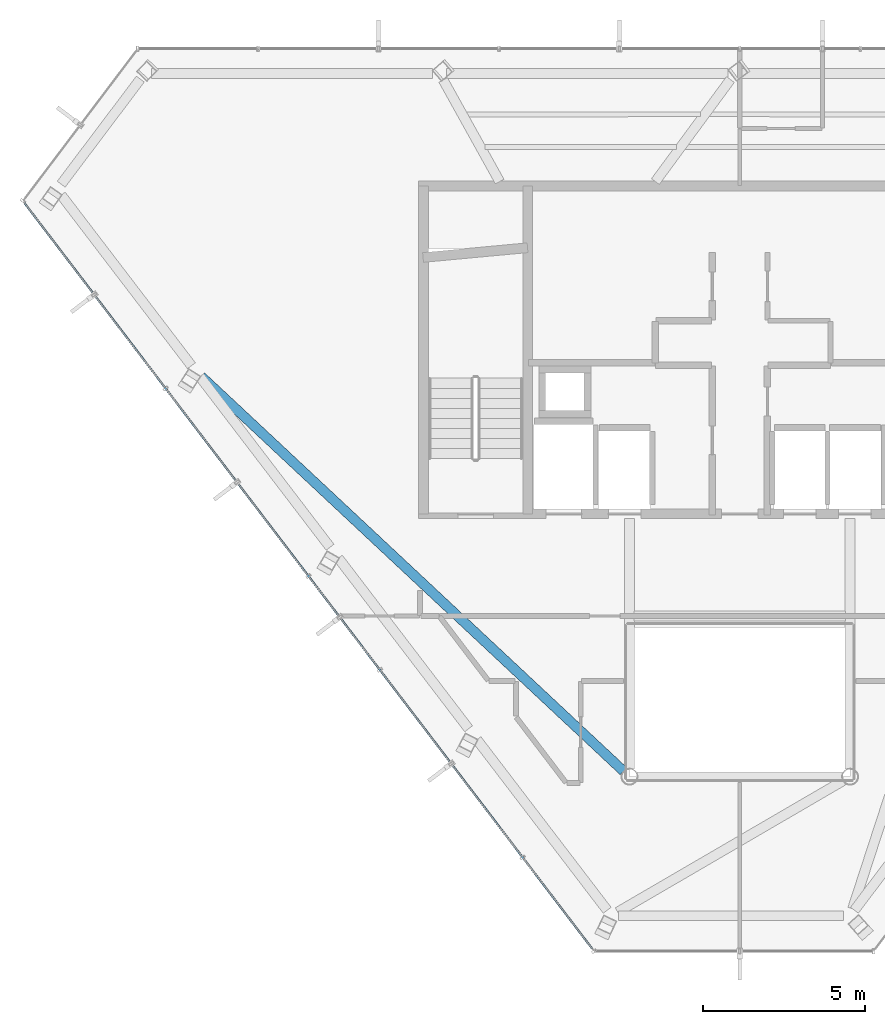
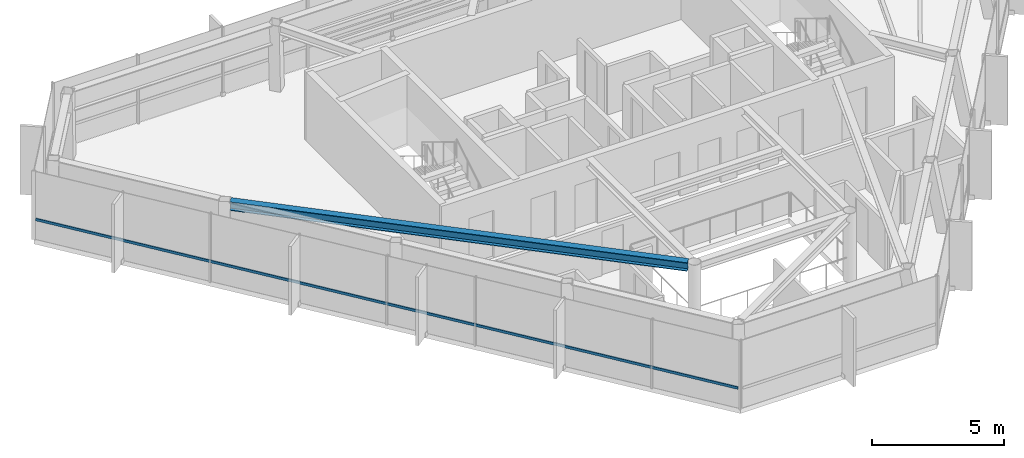
# One storey, part 4 of 21: 1 beam, 1 member, 1 element without a shape of its own.
"""IFC4 building model written with IfcOpenShell, lengths in metres."""

from ifc_helpers import new_model, si_unit, direction, frame, origin, origin_2d, place, context, subcontext, project, spatial, hollow_rectangle, i_section, extrude, material, layer, layer_set, material_profile, profile_set, type_object, element, aggregate, save


model = new_model("IFC4")

# Units and contexts
model_context = context("Model", 3, precision=1e-05, world=origin(), true_north=direction((0.0, 1.0)))
body_context = subcontext(model_context, "Body", "Model", "MODEL_VIEW")
ifc_project = project(units=[si_unit("LENGTHUNIT", "METRE"), si_unit("AREAUNIT", "SQUARE_METRE"), si_unit("VOLUMEUNIT", "CUBIC_METRE"), si_unit("PLANEANGLEUNIT", "RADIAN"), si_unit("MASSUNIT", "GRAM", prefix="KILO")], contexts=[model_context])

# Site, building, storey
site_placement = place(None, origin())
site = spatial("IfcSite", under=ifc_project, at=site_placement, CompositionType="ELEMENT")
building_placement = place(site_placement, origin())
building = spatial("IfcBuilding", under=site, at=building_placement, Name="Zarrinselat Tower", CompositionType="ELEMENT")
storey_placement = place(building_placement, frame((0.0, 0.0, 285.60009765625)))
storey = spatial("IfcBuildingStorey", under=building, at=storey_placement, Name="L73", CompositionType="ELEMENT", Elevation=285.60009765625)

# Beam
ifc_material_1 = material(Name="Steel S355J2", Category="steel")
ifc_material_profile_1 = material_profile(ifc_material_1, i_section(OverallWidth=0.300048828125, OverallDepth=0.39990234375, WebThickness=0.013427734375, FlangeThickness=0.02392578125, at=origin_2d()), Name="HEB 400")
ifc_profile_set_1 = profile_set([ifc_material_profile_1], Name="Steel S355J2")
beam_type = type_object("IfcBeamType", Name="BM-HEB400", PredefinedType="BEAM", material=ifc_profile_set_1)
beam_placement = place(storey_placement, frame((21.79736328125, 37.541015625, 2.97998046875), z_axis=(0.730540309461, -0.682869574848, 0.0), x_axis=(0.682869574848, 0.730540309461, 0.0)))
element("IfcBeam", 1, at=beam_placement, inside=storey, type_object=beam_type, Name="L73 Radial Primary Girder RG07", PredefinedType="BEAM", context=body_context, shape_type="SweptSolid", body=[
    extrude(i_section(OverallWidth=0.300048828125, OverallDepth=0.39990234375, WebThickness=0.013427734375, FlangeThickness=0.02392578125, at=origin_2d()), origin(), (0.0, 0.0, 1.0), 17.822509765625),
])

# Curtain wall, member
ifc_material_2 = material(Name="Extruded Aluminium Alloy EN AW-6063 T6", Category="aluminium")
ifc_layer = layer(ifc_material_2, 0.169921875)
ifc_layer_set = layer_set([ifc_layer], Name="Extruded Aluminium Alloy EN AW-6063 T6")
curtain_wall_type = type_object("IfcCurtainWallType", Name="CWS-RES", PredefinedType="NOTDEFINED", material=ifc_layer_set)
curtain_wall_placement = place(storey_placement, origin())
curtain_wall = element("IfcCurtainWall", 2, at=curtain_wall_placement, inside=storey, type_object=curtain_wall_type, Name="L73 Unitised Curtain Wall CW-L73-E03", PredefinedType="NOTDEFINED")
ifc_material_3 = material(Name="Extruded Aluminium Alloy EN AW-6063 T6", Category="aluminium")
ifc_material_profile_2 = material_profile(ifc_material_3, hollow_rectangle(XDim=0.06005859375, YDim=0.1201171875, WallThickness=0.00390625, at=origin_2d()), Name="RHS 120x60x4")
ifc_profile_set_2 = profile_set([ifc_material_profile_2], Name="Extruded Aluminium Alloy EN AW-6063 T6")
member_type = type_object("IfcMemberType", Name="MEM-CW-TRN2", PredefinedType="USERDEFINED", material=ifc_profile_set_2)
member_placement = place(storey_placement, frame((16.358154296875, 42.872314453125, 0.949951171875), z_axis=(0.605768400297, -0.795641027852, 0.0), x_axis=(0.795641027852, 0.605768400297, 0.0)))
member = element("IfcMember", 3, at=member_placement, type_object=member_type, Name="CW-L73-E03 Transom 1", ObjectType="TRANSOM", PredefinedType="USERDEFINED", context=body_context, shape_type="SweptSolid", body=[
    extrude(hollow_rectangle(XDim=0.06005859375, YDim=0.1201171875, WallThickness=0.00390625, at=origin_2d()), origin(), (0.0, 0.0, 1.0), 28.884521484375),
])
aggregate(curtain_wall, [member])

save(model, "model.ifc")
